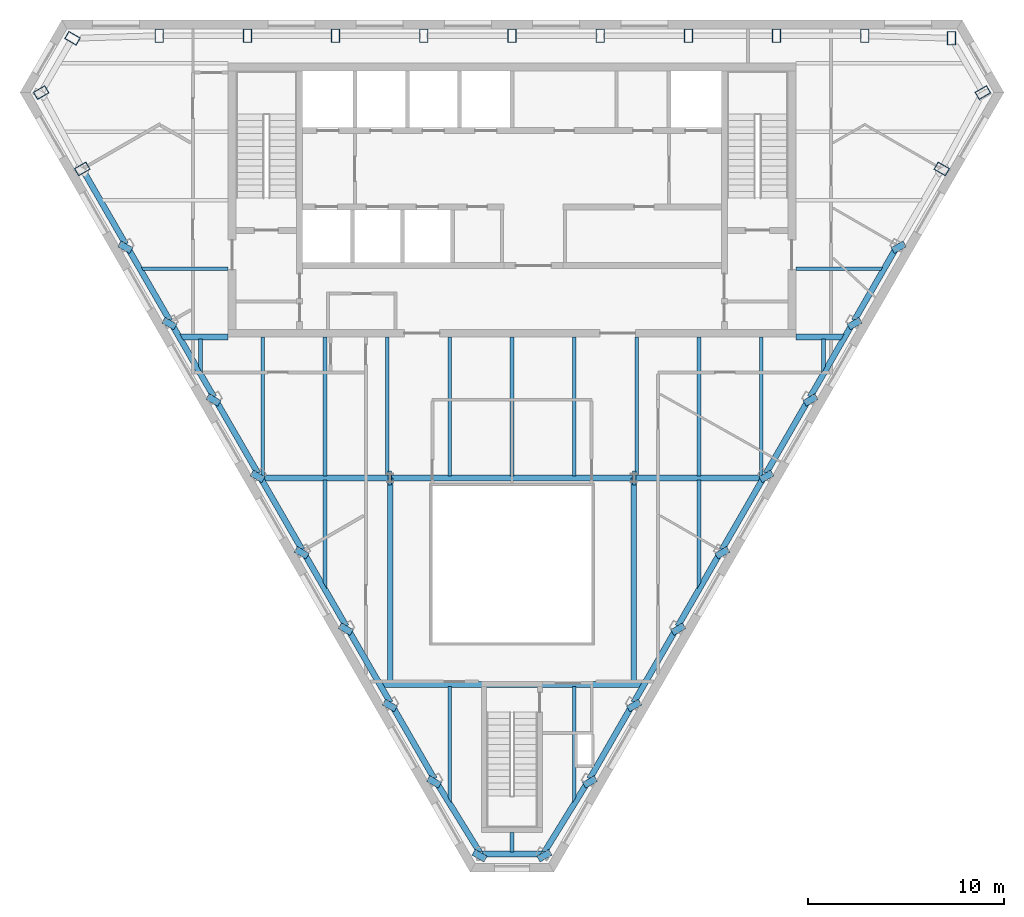
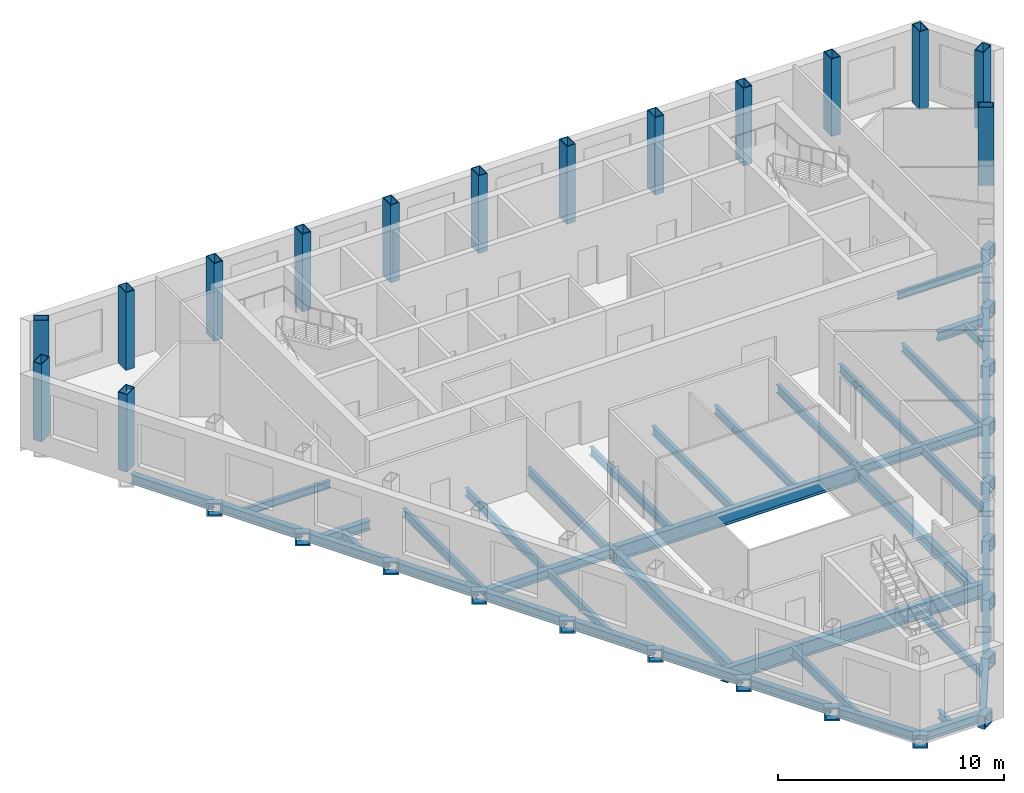
# One storey, part 2 of 9: 64 beams, 15 columns.
"""IFC4 building model written with IfcOpenShell, lengths in metres."""

from ifc_helpers import new_model, si_unit, direction, frame, origin, origin_2d, place, context, subcontext, project, spatial, hollow_rectangle, i_section, extrude, clip, halfspace, material, material_profile, profile_set, type_object, element, save


model = new_model("IFC4")

# Units and contexts
model_context = context("Model", 3, precision=1e-05, world=origin(), true_north=direction((0.0, 1.0)))
body_context = subcontext(model_context, "Body", "Model", "MODEL_VIEW")
ifc_project = project(units=[si_unit("LENGTHUNIT", "METRE"), si_unit("AREAUNIT", "SQUARE_METRE"), si_unit("VOLUMEUNIT", "CUBIC_METRE"), si_unit("PLANEANGLEUNIT", "RADIAN"), si_unit("MASSUNIT", "GRAM", prefix="KILO")], contexts=[model_context])

# Site, building, storey
site_placement = place(None, origin())
site = spatial("IfcSite", under=ifc_project, at=site_placement, CompositionType="ELEMENT")
building_placement = place(site_placement, origin())
building = spatial("IfcBuilding", under=site, at=building_placement, Name="Njiva Tower", CompositionType="ELEMENT")
storey_placement = place(building_placement, frame((0.0, 0.0, 321.0)))
storey = spatial("IfcBuildingStorey", under=building, at=storey_placement, Name="L73", CompositionType="ELEMENT", Elevation=321.0)

# Columns
ifc_material = material(Name="Steel S355 J2", Category="steel")
ifc_material_profile_1 = material_profile(ifc_material, hollow_rectangle(XDim=0.45, YDim=0.7, WallThickness=0.04, at=origin_2d()), Name="BOX 700x450x40")
ifc_profile_set_1 = profile_set([ifc_material_profile_1], Name="Steel S355 J2")
column_type = type_object("IfcColumnType", Name="C15 Perimeter tube column BOX 700x450x40", PredefinedType="COLUMN", material=ifc_profile_set_1)
for number, where, z_axis, x_axis, name in (
    (1, (22.456, 19.267, 0.0), (0.0, 0.0, 1.0), (-1.0, 0.0, 0.0), "Perimeter tube column S25-C01"),
    (2, (18.026, 19.4, 0.0), (0.0, 0.0, 1.0), (-1.0, 0.0, 0.0), "Perimeter tube column S25-C02"),
    (3, (13.52, 19.4, 0.0), (0.0, 0.0, 1.0), (-1.0, 0.0, 0.0), "Perimeter tube column S25-C03"),
    (4, (9.013, 19.4, 0.0), (0.0, 0.0, 1.0), (-1.0, 0.0, 0.0), "Perimeter tube column S25-C04"),
    (5, (4.507, 19.4, 0.0), (0.0, 0.0, 1.0), (-1.0, 0.0, 0.0), "Perimeter tube column S25-C05"),
    (6, (0.0, 19.4, 0.0), (0.0, 0.0, 1.0), (-1.0, 0.0, 0.0), "Perimeter tube column S25-C06"),
    (7, (-4.507, 19.4, 0.0), (0.0, 0.0, 1.0), (-1.0, 0.0, 0.0), "Perimeter tube column S25-C07"),
    (8, (-9.013, 19.4, 0.0), (0.0, 0.0, 1.0), (-1.0, 0.0, 0.0), "Perimeter tube column S25-C08"),
    (9, (-13.52, 19.4, 0.0), (0.0, 0.0, 1.0), (-1.0, 0.0, 0.0), "Perimeter tube column S25-C09"),
    (10, (-18.026, 19.4, 0.0), (0.0, 0.0, 1.0), (-1.0, 0.0, 0.0), "Perimeter tube column S25-C10"),
    (11, (-22.456, 19.267, 0.0), (0.0, 0.0, 1.0), (-0.5, -0.866025403784, 0.0), "Perimeter tube column S25-C11"),
    (12, (-24.058, 16.493, 0.0), (0.0, 0.0, 1.0), (0.5, -0.866025403784, 0.0), "Perimeter tube column S25-C12"),
    (13, (-21.958, 12.591, 0.0), (0.0, 0.0, 1.0), (0.5, -0.866025403784, 0.0), "Perimeter tube column S25-C13"),
    (14, (21.958, 12.591, 0.0), (0.0, 0.0, 1.0), (0.5, 0.866025403784, 0.0), "Perimeter tube column S25-C32"),
    (15, (24.058, 16.493, 0.0), (0.0, 0.0, 1.0), (-0.5, 0.866025403784, 0.0), "Perimeter tube column S25-C33"),
):
    element("IfcColumn", number, at=place(storey_placement, frame(where, z_axis=z_axis, x_axis=x_axis)), inside=storey, type_object=column_type, Name=name, PredefinedType="COLUMN", context=body_context, shape_type="SweptSolid", body=[
        extrude(hollow_rectangle(XDim=0.45, YDim=0.7, WallThickness=0.04, at=origin_2d()), origin(), (0.0, 0.0, 1.0), 4.2),
    ])

# Beams
ifc_material_profile_2 = material_profile(ifc_material, hollow_rectangle(XDim=0.7, YDim=0.7, WallThickness=0.08, at=origin_2d()), Name="BOX 700x700x80")
ifc_profile_set_2 = profile_set([ifc_material_profile_2], Name="Steel S355 J2")
beam_type_1 = type_object("IfcBeamType", Name="B19 Column jog beam BOX 700x700x80", PredefinedType="BEAM", material=ifc_profile_set_2)
for number, where, z_axis, x_axis, name in (
    (16, (-19.845, 8.445, -0.55), (0.499298623879, 0.866429964967, 0.0), (-0.866429964967, 0.499298623879, 0.0), "Column jog beam S25-B017"),
    (17, (-17.591, 4.542, -0.55), (0.499298623879, 0.866429964967, 0.0), (-0.866429964967, 0.499298623879, 0.0), "Column jog beam S25-B018"),
    (18, (-15.338, 0.639, -0.55), (0.499298623879, 0.866429964967, 0.0), (-0.866429964967, 0.499298623879, 0.0), "Column jog beam S25-B019"),
):
    element("IfcBeam", number, at=place(storey_placement, frame(where, z_axis=z_axis, x_axis=x_axis)), inside=storey, type_object=beam_type_1, Name=name, PredefinedType="BEAM", context=body_context, shape_type="SweptSolid", body=[
        extrude(hollow_rectangle(XDim=0.7, YDim=0.7, WallThickness=0.08, at=origin_2d()), origin(), (0.0, 0.0, 1.0), 0.3405),
    ])
for number, where, z_axis, x_axis, name in (
    (19, (-13.085, -3.263, -0.55), (0.500571914019, 0.865694957185, 0.0), (-0.865694957185, 0.500571914019, 0.0), "Column jog beam S25-B020"),
    (20, (-10.831, -7.166, -0.55), (0.500571914019, 0.865694957185, 0.0), (-0.865694957185, 0.500571914019, 0.0), "Column jog beam S25-B021"),
    (21, (-8.578, -11.069, -0.55), (0.500571914019, 0.865694957185, 0.0), (-0.865694957185, 0.500571914019, 0.0), "Column jog beam S25-B022"),
):
    element("IfcBeam", number, at=place(storey_placement, frame(where, z_axis=z_axis, x_axis=x_axis)), inside=storey, type_object=beam_type_1, Name=name, PredefinedType="BEAM", context=body_context, shape_type="SweptSolid", body=[
        extrude(hollow_rectangle(XDim=0.7, YDim=0.7, WallThickness=0.08, at=origin_2d()), origin(), (0.0, 0.0, 1.0), 0.3396),
    ])
for number, where, z_axis, x_axis, name in (
    (22, (-6.325, -14.972, -0.55), (0.499298623879, 0.866429964967, 0.0), (-0.866429964967, 0.499298623879, 0.0), "Column jog beam S25-B024"),
    (23, (-4.071, -18.875, -0.55), (0.499298623879, 0.866429964967, 0.0), (-0.866429964967, 0.499298623879, 0.0), "Column jog beam S25-B025"),
    (24, (-1.741, -22.645, -0.55), (0.499298623879, 0.866429964967, 0.0), (-0.866429964967, 0.499298623879, 0.0), "Column jog beam S25-B026"),
    (25, (1.741, -22.645, -0.55), (-0.499298623879, 0.866429964967, 0.0), (-0.866429964967, -0.499298623879, 0.0), "Column jog beam S25-B027"),
    (26, (4.071, -18.875, -0.55), (-0.499298623879, 0.866429964967, 0.0), (-0.866429964967, -0.499298623879, 0.0), "Column jog beam S25-B028"),
    (27, (6.325, -14.972, -0.55), (-0.499298623879, 0.866429964967, 0.0), (-0.866429964967, -0.499298623879, 0.0), "Column jog beam S25-B029"),
):
    element("IfcBeam", number, at=place(storey_placement, frame(where, z_axis=z_axis, x_axis=x_axis)), inside=storey, type_object=beam_type_1, Name=name, PredefinedType="BEAM", context=body_context, shape_type="SweptSolid", body=[
        extrude(hollow_rectangle(XDim=0.7, YDim=0.7, WallThickness=0.08, at=origin_2d()), origin(), (0.0, 0.0, 1.0), 0.3405),
    ])
for number, where, z_axis, x_axis, name in (
    (28, (8.578, -11.069, -0.55), (-0.500571914019, 0.865694957185, 0.0), (-0.865694957185, -0.500571914019, 0.0), "Column jog beam S25-B031"),
    (29, (10.831, -7.166, -0.55), (-0.500571914019, 0.865694957185, 0.0), (-0.865694957185, -0.500571914019, 0.0), "Column jog beam S25-B032"),
    (30, (13.085, -3.263, -0.55), (-0.500571914019, 0.865694957185, 0.0), (-0.865694957185, -0.500571914019, 0.0), "Column jog beam S25-B033"),
):
    element("IfcBeam", number, at=place(storey_placement, frame(where, z_axis=z_axis, x_axis=x_axis)), inside=storey, type_object=beam_type_1, Name=name, PredefinedType="BEAM", context=body_context, shape_type="SweptSolid", body=[
        extrude(hollow_rectangle(XDim=0.7, YDim=0.7, WallThickness=0.08, at=origin_2d()), origin(), (0.0, 0.0, 1.0), 0.3396),
    ])
for number, where, z_axis, x_axis, name in (
    (31, (15.338, 0.639, -0.55), (-0.499298623879, 0.866429964967, 0.0), (-0.866429964967, -0.499298623879, 0.0), "Column jog beam S25-B034"),
    (32, (17.591, 4.542, -0.55), (-0.499298623879, 0.866429964967, 0.0), (-0.866429964967, -0.499298623879, 0.0), "Column jog beam S25-B035"),
    (33, (19.845, 8.445, -0.55), (-0.499298623879, 0.866429964967, 0.0), (-0.866429964967, -0.499298623879, 0.0), "Column jog beam S25-B036"),
):
    element("IfcBeam", number, at=place(storey_placement, frame(where, z_axis=z_axis, x_axis=x_axis)), inside=storey, type_object=beam_type_1, Name=name, PredefinedType="BEAM", context=body_context, shape_type="SweptSolid", body=[
        extrude(hollow_rectangle(XDim=0.7, YDim=0.7, WallThickness=0.08, at=origin_2d()), origin(), (0.0, 0.0, 1.0), 0.3405),
    ])
for number, where, z_axis, x_axis, name in (
    (34, (6.33, -3.2, -0.55), (-1.0, 0.0, 0.0), (0.0, -1.0, 0.0), "Column jog beam S25-B030"),
    (35, (-6.33, -3.2, -0.55), (1.0, 0.0, 0.0), (0.0, 1.0, 0.0), "Column jog beam S25-B023"),
):
    element("IfcBeam", number, at=place(storey_placement, frame(where, z_axis=z_axis, x_axis=x_axis)), inside=storey, type_object=beam_type_1, Name=name, PredefinedType="BEAM", context=body_context, shape_type="SweptSolid", body=[
        extrude(hollow_rectangle(XDim=0.7, YDim=0.7, WallThickness=0.08, at=origin_2d()), origin(), (0.0, 0.0, 1.0), 0.17),
    ])
ifc_material_profile_3 = material_profile(ifc_material, i_section(OverallWidth=0.3, OverallDepth=0.59, WebThickness=0.013, FlangeThickness=0.025, at=origin_2d()), Name="HEA 600")
ifc_profile_set_3 = profile_set([ifc_material_profile_3], Name="Steel S355 J2")
beam_type_2 = type_object("IfcBeamType", Name="B30 Long-span atrium trimmer beam HEA 600", PredefinedType="BEAM", material=ifc_profile_set_3)
for number, where, z_axis, x_axis, name in (
    (36, (6.22, -13.65, -0.495), (0.0, 1.0, 0.0), (-1.0, 0.0, 0.0), "Long-span atrium trimmer beam S25-B062"),
    (37, (-6.22, -3.2, -0.495), (0.0, -1.0, 0.0), (1.0, 0.0, 0.0), "Long-span atrium trimmer beam S25-B059"),
):
    element("IfcBeam", number, at=place(storey_placement, frame(where, z_axis=z_axis, x_axis=x_axis)), inside=storey, type_object=beam_type_2, Name=name, PredefinedType="BEAM", context=body_context, shape_type="SweptSolid", body=[
        extrude(i_section(OverallWidth=0.3, OverallDepth=0.59, WebThickness=0.013, FlangeThickness=0.025, at=origin_2d()), origin(), (0.0, 0.0, 1.0), 10.45),
    ])
ifc_material_profile_4 = material_profile(ifc_material, i_section(OverallWidth=0.3, OverallDepth=0.49, WebThickness=0.012, FlangeThickness=0.023, at=origin_2d()), Name="HEA 500")
ifc_profile_set_4 = profile_set([ifc_material_profile_4], Name="Steel S355 J2")
beam_type_3 = type_object("IfcBeamType", Name="B48 Short-span spandrel beam HEA 500", PredefinedType="SPANDREL", material=ifc_profile_set_4)
for number, where, z_axis, x_axis, name in (
    (38, (-21.815, 12.344, -0.445), (0.499916824138, -0.866073420066, 0.0), (0.866073420066, 0.499916824138, 0.0), "Short-span spandrel beam S25-B069"),
    (39, (-19.562, 8.441, -0.445), (0.499916824138, -0.866073420066, 0.0), (0.866073420066, 0.499916824138, 0.0), "Short-span spandrel beam S25-B071"),
):
    element("IfcBeam", number, at=place(storey_placement, frame(where, z_axis=z_axis, x_axis=x_axis)), inside=storey, type_object=beam_type_3, Name=name, PredefinedType="SPANDREL", context=body_context, shape_type="SweptSolid", body=[
        extrude(i_section(OverallWidth=0.3, OverallDepth=0.49, WebThickness=0.012, FlangeThickness=0.023, at=origin_2d()), origin(), (0.0, 0.0, 1.0), 4.1567),
    ])
beam_1_placement = place(storey_placement, frame((-17.309, 4.538, -0.445), z_axis=(0.500097243556, -0.865969252911, 0.0), x_axis=(0.865969252911, 0.500097243556, 0.0)))
element("IfcBeam", 40, at=beam_1_placement, inside=storey, type_object=beam_type_3, Name="Short-span spandrel beam S25-B074", PredefinedType="SPANDREL", context=body_context, shape_type="SweptSolid", body=[
    extrude(i_section(OverallWidth=0.3, OverallDepth=0.49, WebThickness=0.012, FlangeThickness=0.023, at=origin_2d()), origin(), (0.0, 0.0, 1.0), 4.1572),
])
beam_2_placement = place(storey_placement, frame((-15.055, 0.635, -0.445), z_axis=(0.500021003115, -0.866013277291, 0.0), x_axis=(0.866013277291, 0.500021003115, 0.0)))
element("IfcBeam", 41, at=beam_2_placement, inside=storey, type_object=beam_type_3, Name="Short-span spandrel beam S25-B076", PredefinedType="SPANDREL", context=body_context, shape_type="SweptSolid", body=[
    extrude(i_section(OverallWidth=0.3, OverallDepth=0.49, WebThickness=0.012, FlangeThickness=0.023, at=origin_2d()), origin(), (0.0, 0.0, 1.0), 4.1558),
])
for number, where, z_axis, x_axis, name in (
    (42, (-12.802, -3.267, -0.445), (0.499916824138, -0.866073420066, 0.0), (0.866073420066, 0.499916824138, 0.0), "Short-span spandrel beam S25-B079"),
    (43, (-10.549, -7.17, -0.445), (0.499916824138, -0.866073420066, 0.0), (0.866073420066, 0.499916824138, 0.0), "Short-span spandrel beam S25-B081"),
):
    element("IfcBeam", number, at=place(storey_placement, frame(where, z_axis=z_axis, x_axis=x_axis)), inside=storey, type_object=beam_type_3, Name=name, PredefinedType="SPANDREL", context=body_context, shape_type="SweptSolid", body=[
        extrude(i_section(OverallWidth=0.3, OverallDepth=0.49, WebThickness=0.012, FlangeThickness=0.023, at=origin_2d()), origin(), (0.0, 0.0, 1.0), 4.1567),
    ])
beam_3_placement = place(storey_placement, frame((-8.296, -11.073, -0.445), z_axis=(0.500097243556, -0.865969252911, 0.0), x_axis=(0.865969252911, 0.500097243556, 0.0)))
element("IfcBeam", 44, at=beam_3_placement, inside=storey, type_object=beam_type_3, Name="Short-span spandrel beam S25-B084", PredefinedType="SPANDREL", context=body_context, shape_type="SweptSolid", body=[
    extrude(i_section(OverallWidth=0.3, OverallDepth=0.49, WebThickness=0.012, FlangeThickness=0.023, at=origin_2d()), origin(), (0.0, 0.0, 1.0), 4.1572),
])
beam_4_placement = place(storey_placement, frame((-6.042, -14.976, -0.445), z_axis=(0.499916824138, -0.866073420066, 0.0), x_axis=(0.866073420066, 0.499916824138, 0.0)))
element("IfcBeam", 45, at=beam_4_placement, inside=storey, type_object=beam_type_3, Name="Short-span spandrel beam S25-B086", PredefinedType="SPANDREL", context=body_context, shape_type="SweptSolid", body=[
    extrude(i_section(OverallWidth=0.3, OverallDepth=0.49, WebThickness=0.012, FlangeThickness=0.023, at=origin_2d()), origin(), (0.0, 0.0, 1.0), 4.1567),
])
beam_5_placement = place(storey_placement, frame((-3.779, -18.878, -0.445), z_axis=(0.52562546348, -0.850716093736, 0.0), x_axis=(0.850716093736, 0.52562546348, 0.0)))
element("IfcBeam", 46, at=beam_5_placement, inside=storey, type_object=beam_type_3, Name="Short-span spandrel beam S25-B089", PredefinedType="SPANDREL", context=body_context, shape_type="Clipping", body=[
    clip(extrude(i_section(OverallWidth=0.3, OverallDepth=0.49, WebThickness=0.012, FlangeThickness=0.023, at=origin_2d()), origin(), (0.0, 0.0, 1.0), 4.1273), halfspace(frame((-0.0259, 0.0, 3.9982), z_axis=(-0.52562546348, 0.0, 0.850716093736), x_axis=(0.0, 1.0, 0.0)), False)),
])
beam_6_placement = place(storey_placement, frame((-1.536, -22.402, -0.445), z_axis=(1.0, 0.0, 0.0), x_axis=(0.0, 1.0, 0.0)))
element("IfcBeam", 47, at=beam_6_placement, inside=storey, type_object=beam_type_3, Name="Short-span spandrel beam S25-B090", PredefinedType="SPANDREL", context=body_context, shape_type="Clipping", body=[
    clip(extrude(i_section(OverallWidth=0.3, OverallDepth=0.49, WebThickness=0.012, FlangeThickness=0.023, at=origin_2d()), origin(), (0.0, 0.0, 1.0), 3.118), halfspace(frame((-0.025, 0.0, 2.9964), z_axis=(-0.499998009787, 0.0, 0.866026552831), x_axis=(0.0, 1.0, 0.0)), False)),
])
beam_7_placement = place(storey_placement, frame((1.637, -22.344, -0.445), z_axis=(0.525712321525, 0.850662421291, 0.0), x_axis=(-0.850662421291, 0.525712321525, 0.0)))
element("IfcBeam", 48, at=beam_7_placement, inside=storey, type_object=beam_type_3, Name="Short-span spandrel beam S25-B093", PredefinedType="SPANDREL", context=body_context, shape_type="SweptSolid", body=[
    extrude(i_section(OverallWidth=0.3, OverallDepth=0.49, WebThickness=0.012, FlangeThickness=0.023, at=origin_2d()), origin(), (0.0, 0.0, 1.0), 4.0745),
])
beam_8_placement = place(storey_placement, frame((3.964, -18.576, -0.445), z_axis=(0.499916824138, 0.866073420066, 0.0), x_axis=(-0.866073420066, 0.499916824138, 0.0)))
element("IfcBeam", 49, at=beam_8_placement, inside=storey, type_object=beam_type_3, Name="Short-span spandrel beam S25-B095", PredefinedType="SPANDREL", context=body_context, shape_type="SweptSolid", body=[
    extrude(i_section(OverallWidth=0.3, OverallDepth=0.49, WebThickness=0.012, FlangeThickness=0.023, at=origin_2d()), origin(), (0.0, 0.0, 1.0), 4.1567),
])
beam_9_placement = place(storey_placement, frame((6.217, -14.673, -0.445), z_axis=(0.500097243556, 0.865969252911, 0.0), x_axis=(-0.865969252911, 0.500097243556, 0.0)))
element("IfcBeam", 50, at=beam_9_placement, inside=storey, type_object=beam_type_3, Name="Short-span spandrel beam S25-B098", PredefinedType="SPANDREL", context=body_context, shape_type="SweptSolid", body=[
    extrude(i_section(OverallWidth=0.3, OverallDepth=0.49, WebThickness=0.012, FlangeThickness=0.023, at=origin_2d()), origin(), (0.0, 0.0, 1.0), 4.1572),
])
for number, where, z_axis, x_axis, name in (
    (51, (8.471, -10.77, -0.445), (0.499916824138, 0.866073420066, 0.0), (-0.866073420066, 0.499916824138, 0.0), "Short-span spandrel beam S25-B100"),
    (52, (10.724, -6.867, -0.445), (0.499916824138, 0.866073420066, 0.0), (-0.866073420066, 0.499916824138, 0.0), "Short-span spandrel beam S25-B103"),
):
    element("IfcBeam", number, at=place(storey_placement, frame(where, z_axis=z_axis, x_axis=x_axis)), inside=storey, type_object=beam_type_3, Name=name, PredefinedType="SPANDREL", context=body_context, shape_type="SweptSolid", body=[
        extrude(i_section(OverallWidth=0.3, OverallDepth=0.49, WebThickness=0.012, FlangeThickness=0.023, at=origin_2d()), origin(), (0.0, 0.0, 1.0), 4.1567),
    ])
beam_10_placement = place(storey_placement, frame((12.977, -2.964, -0.445), z_axis=(0.500021003115, 0.866013277291, 0.0), x_axis=(-0.866013277291, 0.500021003115, 0.0)))
element("IfcBeam", 53, at=beam_10_placement, inside=storey, type_object=beam_type_3, Name="Short-span spandrel beam S25-B105", PredefinedType="SPANDREL", context=body_context, shape_type="SweptSolid", body=[
    extrude(i_section(OverallWidth=0.3, OverallDepth=0.49, WebThickness=0.012, FlangeThickness=0.023, at=origin_2d()), origin(), (0.0, 0.0, 1.0), 4.1558),
])
beam_11_placement = place(storey_placement, frame((15.23, 0.938, -0.445), z_axis=(0.500097243556, 0.865969252911, 0.0), x_axis=(-0.865969252911, 0.500097243556, 0.0)))
element("IfcBeam", 54, at=beam_11_placement, inside=storey, type_object=beam_type_3, Name="Short-span spandrel beam S25-B108", PredefinedType="SPANDREL", context=body_context, shape_type="SweptSolid", body=[
    extrude(i_section(OverallWidth=0.3, OverallDepth=0.49, WebThickness=0.012, FlangeThickness=0.023, at=origin_2d()), origin(), (0.0, 0.0, 1.0), 4.1572),
])
beam_12_placement = place(storey_placement, frame((17.484, 4.841, -0.445), z_axis=(0.499916824138, 0.866073420066, 0.0), x_axis=(-0.866073420066, 0.499916824138, 0.0)))
element("IfcBeam", 55, at=beam_12_placement, inside=storey, type_object=beam_type_3, Name="Short-span spandrel beam S25-B110", PredefinedType="SPANDREL", context=body_context, shape_type="SweptSolid", body=[
    extrude(i_section(OverallWidth=0.3, OverallDepth=0.49, WebThickness=0.012, FlangeThickness=0.023, at=origin_2d()), origin(), (0.0, 0.0, 1.0), 4.1567),
])
ifc_material_profile_5 = material_profile(ifc_material, i_section(OverallWidth=0.3, OverallDepth=0.49, WebThickness=0.012, FlangeThickness=0.023, at=origin_2d()), Name="HEA 500")
ifc_profile_set_5 = profile_set([ifc_material_profile_5], Name="Steel S355 J2")
beam_type_4 = type_object("IfcBeamType", Name="B49 Floor girder HEA 500", PredefinedType="BEAM", material=ifc_profile_set_5)
beam_13_placement = place(storey_placement, frame((-12.822, -3.2, -0.445), z_axis=(1.0, 0.0, 0.0), x_axis=(0.0, 1.0, 0.0)))
element("IfcBeam", 56, at=beam_13_placement, inside=storey, type_object=beam_type_4, Name="Floor girder S25-B011", PredefinedType="BEAM", context=body_context, shape_type="Clipping", body=[
    clip(extrude(i_section(OverallWidth=0.3, OverallDepth=0.49, WebThickness=0.012, FlangeThickness=0.023, at=origin_2d()), origin(), (0.0, 0.0, 1.0), 6.602), halfspace(frame((-0.025, 0.0, 0.1215), z_axis=(-0.499998009787, 0.0, -0.866026552831), x_axis=(0.0, -1.0, 0.0)), False)),
])
beam_14_placement = place(storey_placement, frame((6.22, -3.2, -0.445), z_axis=(1.0, 0.0, 0.0), x_axis=(0.0, 1.0, 0.0)))
element("IfcBeam", 57, at=beam_14_placement, inside=storey, type_object=beam_type_4, Name="Floor girder S25-B012", PredefinedType="BEAM", context=body_context, shape_type="Clipping", body=[
    clip(extrude(i_section(OverallWidth=0.3, OverallDepth=0.49, WebThickness=0.012, FlangeThickness=0.023, at=origin_2d()), origin(), (0.0, 0.0, 1.0), 6.602), halfspace(frame((-0.025, 0.0, 6.4805), z_axis=(-0.499998009787, 0.0, 0.866026552831), x_axis=(0.0, 1.0, 0.0)), False)),
])
ifc_material_profile_6 = material_profile(ifc_material, i_section(OverallWidth=0.3, OverallDepth=0.49, WebThickness=0.012, FlangeThickness=0.023, at=origin_2d()), Name="HEA 500")
ifc_profile_set_6 = profile_set([ifc_material_profile_6], Name="Steel S355 J2")
beam_type_5 = type_object("IfcBeamType", Name="B50 Short-span floor girder HEA 500", PredefinedType="BEAM", material=ifc_profile_set_6)
beam_15_placement = place(storey_placement, frame((-16.99, 4.0, -0.445), z_axis=(1.0, 0.0, 0.0), x_axis=(0.0, 1.0, 0.0)))
element("IfcBeam", 58, at=beam_15_placement, inside=storey, type_object=beam_type_5, Name="Short-span floor girder S25-B009", PredefinedType="BEAM", context=body_context, shape_type="Clipping", body=[
    clip(extrude(i_section(OverallWidth=0.3, OverallDepth=0.49, WebThickness=0.012, FlangeThickness=0.023, at=origin_2d()), origin(), (0.0, 0.0, 1.0), 2.49), halfspace(frame((-0.025, 0.0, 0.1217), z_axis=(-0.499998009787, 0.0, -0.866026552831), x_axis=(0.0, -1.0, 0.0)), False)),
])
beam_16_placement = place(storey_placement, frame((14.5, 4.0, -0.445), z_axis=(1.0, 0.0, 0.0), x_axis=(0.0, 1.0, 0.0)))
element("IfcBeam", 59, at=beam_16_placement, inside=storey, type_object=beam_type_5, Name="Short-span floor girder S25-B014", PredefinedType="BEAM", context=body_context, shape_type="Clipping", body=[
    clip(extrude(i_section(OverallWidth=0.3, OverallDepth=0.49, WebThickness=0.012, FlangeThickness=0.023, at=origin_2d()), origin(), (0.0, 0.0, 1.0), 2.49), halfspace(frame((-0.025, 0.0, 2.3683), z_axis=(-0.499998009787, 0.0, 0.866026552831), x_axis=(0.0, 1.0, 0.0)), False)),
])
ifc_material_profile_7 = material_profile(ifc_material, i_section(OverallWidth=0.19, OverallDepth=0.45, WebThickness=0.0094, FlangeThickness=0.0146, at=origin_2d()), Name="IPE 450")
ifc_profile_set_7 = profile_set([ifc_material_profile_7], Name="Steel S355 J2")
beam_type_6 = type_object("IfcBeamType", Name="B52 Short-span floor joist IPE 450", PredefinedType="JOIST", material=ifc_profile_set_7)
beam_17_placement = place(storey_placement, frame((-15.917, 3.9, -0.425), z_axis=(0.0, -1.0, 0.0), x_axis=(1.0, 0.0, 0.0)))
element("IfcBeam", 60, at=beam_17_placement, inside=storey, type_object=beam_type_6, Name="Short-span floor joist S25-B039", PredefinedType="JOIST", context=body_context, shape_type="Clipping", body=[
    clip(extrude(i_section(OverallWidth=0.19, OverallDepth=0.45, WebThickness=0.0094, FlangeThickness=0.0146, at=origin_2d()), origin(), (0.0, 0.0, 1.0), 1.758), halfspace(frame((-0.043, 0.0, 1.4982), z_axis=(-0.866026552831, 0.0, 0.499998009787), x_axis=(0.0, 1.0, 0.0)), False)),
])
beam_18_placement = place(storey_placement, frame((0.0, -21.3, -0.425), z_axis=(0.0, -1.0, 0.0), x_axis=(1.0, 0.0, 0.0)))
element("IfcBeam", 61, at=beam_18_placement, inside=storey, type_object=beam_type_6, Name="Short-span floor joist S25-B047", PredefinedType="JOIST", context=body_context, shape_type="SweptSolid", body=[
    extrude(i_section(OverallWidth=0.19, OverallDepth=0.45, WebThickness=0.0094, FlangeThickness=0.0146, at=origin_2d()), origin(), (0.0, 0.0, 1.0), 1.002),
])
beam_19_placement = place(storey_placement, frame((15.917, 3.9, -0.425), z_axis=(0.0, -1.0, 0.0), x_axis=(1.0, 0.0, 0.0)))
element("IfcBeam", 62, at=beam_19_placement, inside=storey, type_object=beam_type_6, Name="Short-span floor joist S25-B056", PredefinedType="JOIST", context=body_context, shape_type="Clipping", body=[
    clip(extrude(i_section(OverallWidth=0.19, OverallDepth=0.45, WebThickness=0.0094, FlangeThickness=0.0146, at=origin_2d()), origin(), (0.0, 0.0, 1.0), 1.758), halfspace(frame((0.043, 0.0, 1.4982), z_axis=(0.866026552831, 0.0, 0.499998009787), x_axis=(0.0, 1.0, 0.0)), False)),
])
ifc_material_profile_8 = material_profile(ifc_material, i_section(OverallWidth=0.19, OverallDepth=0.45, WebThickness=0.0094, FlangeThickness=0.0146, at=origin_2d()), Name="IPE 450")
ifc_profile_set_8 = profile_set([ifc_material_profile_8], Name="Steel S355 J2")
beam_type_7 = type_object("IfcBeamType", Name="B53 Floor joist IPE 450", PredefinedType="JOIST", material=ifc_profile_set_8)
beam_20_placement = place(storey_placement, frame((-12.733, 3.995, -0.425), z_axis=(0.0, -1.0, 0.0), x_axis=(1.0, 0.0, 0.0)))
element("IfcBeam", 63, at=beam_20_placement, inside=storey, type_object=beam_type_7, Name="Floor joist S25-B040", PredefinedType="JOIST", context=body_context, shape_type="Clipping", body=[
    clip(extrude(i_section(OverallWidth=0.19, OverallDepth=0.45, WebThickness=0.0094, FlangeThickness=0.0146, at=origin_2d()), origin(), (0.0, 0.0, 1.0), 7.348), halfspace(frame((-0.0436, 0.0, 7.0881), z_axis=(-0.866026552831, 0.0, 0.499998009787), x_axis=(0.0, 1.0, 0.0)), False)),
])
beam_21_placement = place(storey_placement, frame((-9.55, 3.995, -0.425), z_axis=(0.0, -1.0, 0.0), x_axis=(1.0, 0.0, 0.0)))
element("IfcBeam", 64, at=beam_21_placement, inside=storey, type_object=beam_type_7, Name="Floor joist S25-B043", PredefinedType="JOIST", context=body_context, shape_type="SweptSolid", body=[
    extrude(i_section(OverallWidth=0.19, OverallDepth=0.45, WebThickness=0.0094, FlangeThickness=0.0146, at=origin_2d()), origin(), (0.0, 0.0, 1.0), 7.095),
])
beam_22_placement = place(storey_placement, frame((-9.55, -3.3, -0.425), z_axis=(0.0, -1.0, 0.0), x_axis=(1.0, 0.0, 0.0)))
element("IfcBeam", 65, at=beam_22_placement, inside=storey, type_object=beam_type_7, Name="Floor joist S25-B042", PredefinedType="JOIST", context=body_context, shape_type="Clipping", body=[
    clip(extrude(i_section(OverallWidth=0.19, OverallDepth=0.45, WebThickness=0.0094, FlangeThickness=0.0146, at=origin_2d()), origin(), (0.0, 0.0, 1.0), 5.586), halfspace(frame((-0.0433, 0.0, 5.3256), z_axis=(-0.866026552831, 0.0, 0.499998009787), x_axis=(0.0, 1.0, 0.0)), False)),
])
beam_23_placement = place(storey_placement, frame((-6.367, 3.995, -0.425), z_axis=(0.0, -1.0, 0.0), x_axis=(1.0, 0.0, 0.0)))
element("IfcBeam", 66, at=beam_23_placement, inside=storey, type_object=beam_type_7, Name="Floor joist S25-B044", PredefinedType="JOIST", context=body_context, shape_type="SweptSolid", body=[
    extrude(i_section(OverallWidth=0.19, OverallDepth=0.45, WebThickness=0.0094, FlangeThickness=0.0146, at=origin_2d()), origin(), (0.0, 0.0, 1.0), 7.02),
])
beam_24_placement = place(storey_placement, frame((-3.183, 3.995, -0.425), z_axis=(0.0, -1.0, 0.0), x_axis=(1.0, 0.0, 0.0)))
element("IfcBeam", 67, at=beam_24_placement, inside=storey, type_object=beam_type_7, Name="Floor joist S25-B046", PredefinedType="JOIST", context=body_context, shape_type="SweptSolid", body=[
    extrude(i_section(OverallWidth=0.19, OverallDepth=0.45, WebThickness=0.0094, FlangeThickness=0.0146, at=origin_2d()), origin(), (0.0, 0.0, 1.0), 7.095),
])
beam_25_placement = place(storey_placement, frame((-3.183, -13.85, -0.425), z_axis=(0.0, -1.0, 0.0), x_axis=(1.0, 0.0, 0.0)))
element("IfcBeam", 68, at=beam_25_placement, inside=storey, type_object=beam_type_7, Name="Floor joist S25-B045", PredefinedType="JOIST", context=body_context, shape_type="Clipping", body=[
    clip(extrude(i_section(OverallWidth=0.19, OverallDepth=0.45, WebThickness=0.0094, FlangeThickness=0.0146, at=origin_2d()), origin(), (0.0, 0.0, 1.0), 5.976), halfspace(frame((-0.0429, 0.0, 5.7335), z_axis=(-0.850615955969, 0.0, 0.525787500281), x_axis=(0.0, 1.0, 0.0)), False)),
])
for number, where, z_axis, x_axis, name in (
    (69, (0.0, 3.995, -0.425), (0.0, -1.0, 0.0), (1.0, 0.0, 0.0), "Floor joist S25-B048"),
    (70, (3.183, 3.995, -0.425), (0.0, -1.0, 0.0), (1.0, 0.0, 0.0), "Floor joist S25-B050"),
):
    element("IfcBeam", number, at=place(storey_placement, frame(where, z_axis=z_axis, x_axis=x_axis)), inside=storey, type_object=beam_type_7, Name=name, PredefinedType="JOIST", context=body_context, shape_type="SweptSolid", body=[
        extrude(i_section(OverallWidth=0.19, OverallDepth=0.45, WebThickness=0.0094, FlangeThickness=0.0146, at=origin_2d()), origin(), (0.0, 0.0, 1.0), 7.095),
    ])
beam_26_placement = place(storey_placement, frame((3.183, -13.85, -0.425), z_axis=(0.0, -1.0, 0.0), x_axis=(1.0, 0.0, 0.0)))
element("IfcBeam", 71, at=beam_26_placement, inside=storey, type_object=beam_type_7, Name="Floor joist S25-B049", PredefinedType="JOIST", context=body_context, shape_type="Clipping", body=[
    clip(extrude(i_section(OverallWidth=0.19, OverallDepth=0.45, WebThickness=0.0094, FlangeThickness=0.0146, at=origin_2d()), origin(), (0.0, 0.0, 1.0), 5.976), halfspace(frame((0.0429, 0.0, 5.7335), z_axis=(0.850615955969, 0.0, 0.525787500281), x_axis=(0.0, 1.0, 0.0)), False)),
])
beam_27_placement = place(storey_placement, frame((6.367, 3.995, -0.425), z_axis=(0.0, -1.0, 0.0), x_axis=(1.0, 0.0, 0.0)))
element("IfcBeam", 72, at=beam_27_placement, inside=storey, type_object=beam_type_7, Name="Floor joist S25-B051", PredefinedType="JOIST", context=body_context, shape_type="SweptSolid", body=[
    extrude(i_section(OverallWidth=0.19, OverallDepth=0.45, WebThickness=0.0094, FlangeThickness=0.0146, at=origin_2d()), origin(), (0.0, 0.0, 1.0), 7.02),
])
beam_28_placement = place(storey_placement, frame((9.55, 3.995, -0.425), z_axis=(0.0, -1.0, 0.0), x_axis=(1.0, 0.0, 0.0)))
element("IfcBeam", 73, at=beam_28_placement, inside=storey, type_object=beam_type_7, Name="Floor joist S25-B053", PredefinedType="JOIST", context=body_context, shape_type="SweptSolid", body=[
    extrude(i_section(OverallWidth=0.19, OverallDepth=0.45, WebThickness=0.0094, FlangeThickness=0.0146, at=origin_2d()), origin(), (0.0, 0.0, 1.0), 7.095),
])
beam_29_placement = place(storey_placement, frame((9.55, -3.3, -0.425), z_axis=(0.0, -1.0, 0.0), x_axis=(1.0, 0.0, 0.0)))
element("IfcBeam", 74, at=beam_29_placement, inside=storey, type_object=beam_type_7, Name="Floor joist S25-B052", PredefinedType="JOIST", context=body_context, shape_type="Clipping", body=[
    clip(extrude(i_section(OverallWidth=0.19, OverallDepth=0.45, WebThickness=0.0094, FlangeThickness=0.0146, at=origin_2d()), origin(), (0.0, 0.0, 1.0), 5.586), halfspace(frame((0.0433, 0.0, 5.3256), z_axis=(0.866026552831, 0.0, 0.499998009787), x_axis=(0.0, 1.0, 0.0)), False)),
])
beam_30_placement = place(storey_placement, frame((12.733, 3.995, -0.425), z_axis=(0.0, -1.0, 0.0), x_axis=(1.0, 0.0, 0.0)))
element("IfcBeam", 75, at=beam_30_placement, inside=storey, type_object=beam_type_7, Name="Floor joist S25-B054", PredefinedType="JOIST", context=body_context, shape_type="Clipping", body=[
    clip(extrude(i_section(OverallWidth=0.19, OverallDepth=0.45, WebThickness=0.0094, FlangeThickness=0.0146, at=origin_2d()), origin(), (0.0, 0.0, 1.0), 7.348), halfspace(frame((0.0436, 0.0, 7.0881), z_axis=(0.866026552831, 0.0, 0.499998009787), x_axis=(0.0, 1.0, 0.0)), False)),
])
ifc_material_profile_9 = material_profile(ifc_material, i_section(OverallWidth=0.18, OverallDepth=0.4, WebThickness=0.0086, FlangeThickness=0.0135, at=origin_2d()), Name="IPE 400")
ifc_profile_set_9 = profile_set([ifc_material_profile_9], Name="Steel S355 J2")
beam_type_8 = type_object("IfcBeamType", Name="B56 Short-span floor beam to the core IPE 400", PredefinedType="BEAM", material=ifc_profile_set_9)
beam_31_placement = place(storey_placement, frame((-18.975, 7.5, -0.4), z_axis=(1.0, 0.0, 0.0), x_axis=(0.0, 1.0, 0.0)))
element("IfcBeam", 76, at=beam_31_placement, inside=storey, type_object=beam_type_8, Name="Short-span floor beam to the core S25-B004", PredefinedType="BEAM", context=body_context, shape_type="Clipping", body=[
    clip(extrude(i_section(OverallWidth=0.18, OverallDepth=0.4, WebThickness=0.0086, FlangeThickness=0.0135, at=origin_2d()), origin(), (0.0, 0.0, 1.0), 4.475), halfspace(frame((-0.025, 0.0, 0.086), z_axis=(-0.499998009787, 0.0, -0.866026552831), x_axis=(0.0, -1.0, 0.0)), False)),
])
beam_32_placement = place(storey_placement, frame((14.5, 7.5, -0.4), z_axis=(1.0, 0.0, 0.0), x_axis=(0.0, 1.0, 0.0)))
element("IfcBeam", 77, at=beam_32_placement, inside=storey, type_object=beam_type_8, Name="Short-span floor beam to the core S25-B005", PredefinedType="BEAM", context=body_context, shape_type="Clipping", body=[
    clip(extrude(i_section(OverallWidth=0.18, OverallDepth=0.4, WebThickness=0.0086, FlangeThickness=0.0135, at=origin_2d()), origin(), (0.0, 0.0, 1.0), 4.475), halfspace(frame((-0.025, 0.0, 4.389), z_axis=(-0.499998009787, 0.0, 0.866026552831), x_axis=(0.0, 1.0, 0.0)), False)),
])
ifc_material_profile_10 = material_profile(ifc_material, i_section(OverallWidth=0.3, OverallDepth=0.79, WebThickness=0.015, FlangeThickness=0.028, at=origin_2d()), Name="HEA 800")
ifc_profile_set_10 = profile_set([ifc_material_profile_10], Name="Steel S355 J2")
beam_type_9 = type_object("IfcBeamType", Name="B9 Long-span atrium trimmer beam HEA 800", PredefinedType="BEAM", material=ifc_profile_set_10)
beam_33_placement = place(storey_placement, frame((-6.742, -13.75, -0.595), z_axis=(1.0, 0.0, 0.0), x_axis=(0.0, 1.0, 0.0)))
element("IfcBeam", 78, at=beam_33_placement, inside=storey, type_object=beam_type_9, Name="Long-span atrium trimmer beam S25-B057", PredefinedType="BEAM", context=body_context, shape_type="Clipping", body=[
    clip(clip(extrude(i_section(OverallWidth=0.3, OverallDepth=0.79, WebThickness=0.015, FlangeThickness=0.028, at=origin_2d()), origin(), (0.0, 0.0, 1.0), 13.484), halfspace(frame((-0.025, 0.0, 0.1217), z_axis=(-0.499998009787, 0.0, -0.866026552831), x_axis=(0.0, -1.0, 0.0)), False)), halfspace(frame((-0.025, 0.0, 13.3623), z_axis=(-0.499998009787, 0.0, 0.866026552831), x_axis=(0.0, 1.0, 0.0)), False)),
])
beam_34_placement = place(storey_placement, frame((6.22, -3.2, -0.595), z_axis=(-1.0, 0.0, 0.0), x_axis=(0.0, -1.0, 0.0)))
element("IfcBeam", 79, at=beam_34_placement, inside=storey, type_object=beam_type_9, Name="Long-span atrium trimmer beam S25-B060", PredefinedType="BEAM", context=body_context, shape_type="SweptSolid", body=[
    extrude(i_section(OverallWidth=0.3, OverallDepth=0.79, WebThickness=0.015, FlangeThickness=0.028, at=origin_2d()), origin(), (0.0, 0.0, 1.0), 12.44),
])

save(model, "model.ifc")
